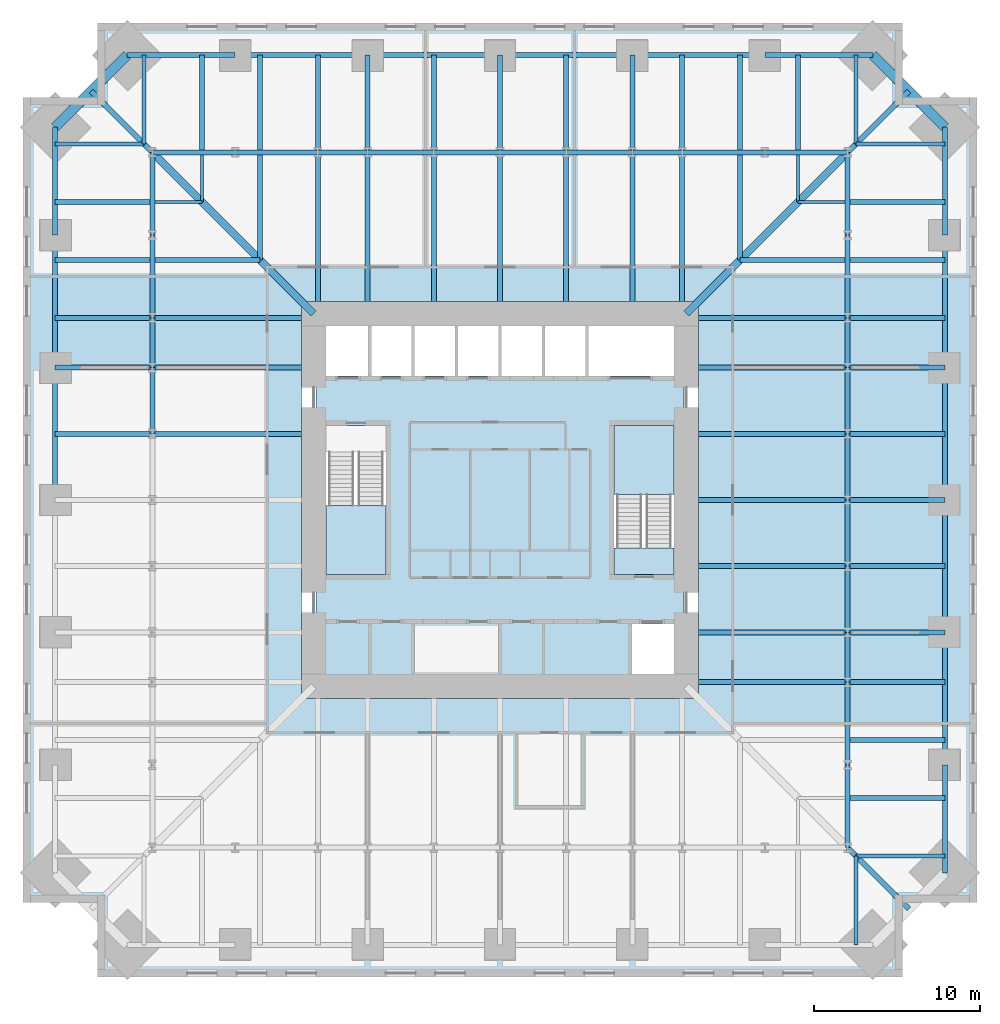
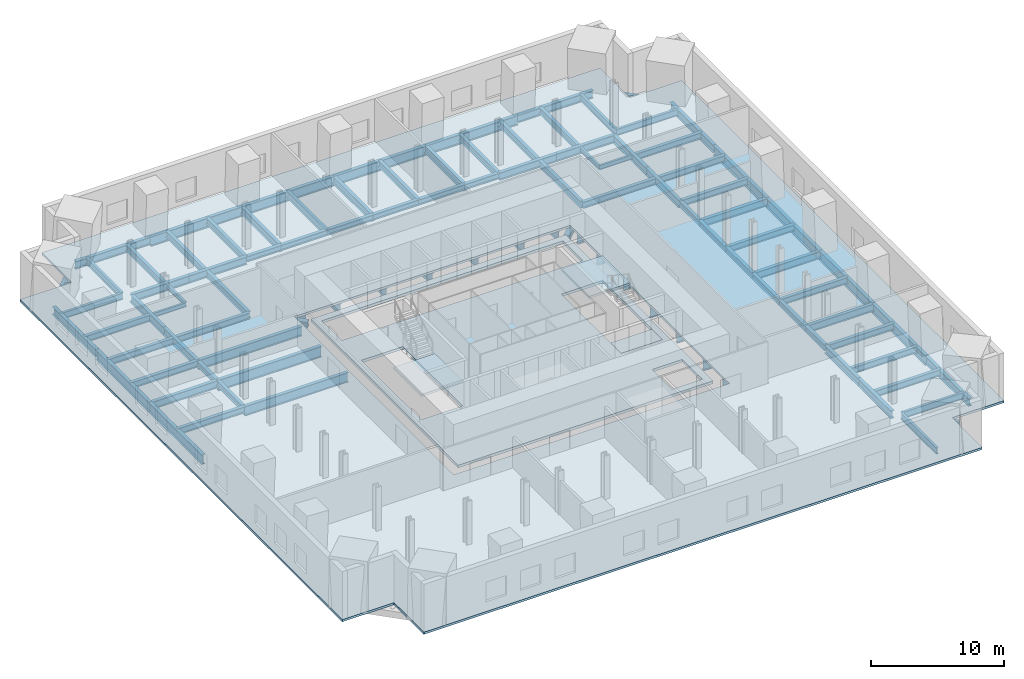
# One storey, part 2 of 9: 104 beams, 5 slabs, 2 elements without a shape of their own.
"""IFC4 building model written with IfcOpenShell, lengths in metres."""

from ifc_helpers import new_model, si_unit, direction, frame, origin, origin_2d, place, context, subcontext, project, spatial, polyline, hollow_rectangle, i_section, outline, extrude, material, layer, layer_set, material_profile, profile_set, type_object, element, aggregate, save


model = new_model("IFC4")

# Units and contexts
model_context = context("Model", 3, precision=1e-05, world=origin(), true_north=direction((0.0, 1.0)))
body_context = subcontext(model_context, "Body", "Model", "MODEL_VIEW")
ifc_project = project(units=[si_unit("LENGTHUNIT", "METRE"), si_unit("AREAUNIT", "SQUARE_METRE"), si_unit("VOLUMEUNIT", "CUBIC_METRE"), si_unit("PLANEANGLEUNIT", "RADIAN"), si_unit("MASSUNIT", "GRAM", prefix="KILO")], contexts=[model_context])

# Site, building, storey
site_placement = place(None, origin())
site = spatial("IfcSite", under=ifc_project, at=site_placement, CompositionType="ELEMENT")
building_placement = place(site_placement, origin())
building = spatial("IfcBuilding", under=site, at=building_placement, Name="Peilmerk Tower", CompositionType="ELEMENT")
storey_placement = place(building_placement, frame((0.0, 0.0, 99.800048828125)))
storey = spatial("IfcBuildingStorey", under=building, at=storey_placement, Name="L19", CompositionType="ELEMENT", Elevation=99.800048828125)

# Beams
ifc_material_1 = material(Name="Steel S355", Category="steel")
ifc_material_profile_1 = material_profile(ifc_material_1, i_section(OverallWidth=0.219970703125, OverallDepth=0.60009765625, WebThickness=0.011962890625, FlangeThickness=0.01904296875, at=origin_2d()), Name="IPE 600")
ifc_profile_set_1 = profile_set([ifc_material_profile_1], Name="Steel S355")
beam_type_1 = type_object("IfcBeamType", Name="B10 IPE 600 floor beam", PredefinedType="BEAM", material=ifc_profile_set_1)
for number, where, z_axis, x_axis, name in (
    (1, (21.5, 21.5, -0.5), (0.0, 1.0, 0.0), (-1.0, 0.0, 0.0), "Floor beam L19"),
    (2, (21.5, 21.5, -0.5), (1.0, 0.0, 0.0), (0.0, 1.0, 0.0), "Floor beam L19"),
    (3, (21.5, -21.5, -0.5), (0.0, -1.0, 0.0), (1.0, 0.0, 0.0), "Floor beam L19"),
    (4, (21.5, -21.5, -0.5), (1.0, 0.0, 0.0), (0.0, 1.0, 0.0), "Floor beam L19"),
    (5, (-21.5, 21.5, -0.5), (0.0, 1.0, 0.0), (-1.0, 0.0, 0.0), "Floor beam L19"),
    (6, (-21.5, 21.5, -0.5), (-1.0, 0.0, 0.0), (0.0, -1.0, 0.0), "Floor beam L19"),
):
    element("IfcBeam", number, at=place(storey_placement, frame(where, z_axis=z_axis, x_axis=x_axis)), inside=storey, type_object=beam_type_1, Name=name, PredefinedType="BEAM", context=body_context, shape_type="SweptSolid", body=[
        extrude(i_section(OverallWidth=0.219970703125, OverallDepth=0.60009765625, WebThickness=0.011962890625, FlangeThickness=0.01904296875, at=origin_2d()), origin(), (0.0, 0.0, 1.0), 5.37255859375),
    ])
ifc_material_profile_2 = material_profile(ifc_material_1, i_section(OverallWidth=0.300048828125, OverallDepth=0.68994140625, WebThickness=0.014404296875, FlangeThickness=0.027099609375, at=origin_2d()), Name="HEA 700")
ifc_profile_set_2 = profile_set([ifc_material_profile_2], Name="Steel S355")
beam_type_2 = type_object("IfcBeamType", Name="B16 HEA 700 floor beam", PredefinedType="BEAM", material=ifc_profile_set_2)
for number, where, z_axis, x_axis, name in (
    (7, (8.0, 21.0, -0.545166015625), (0.0, 1.0, 0.0), (-1.0, 0.0, 0.0), "Floor girder L19"),
    (8, (0.0, 21.0, -0.545166015625), (0.0, 1.0, 0.0), (-1.0, 0.0, 0.0), "Floor girder L19"),
    (9, (-8.0, 21.0, -0.545166015625), (0.0, 1.0, 0.0), (-1.0, 0.0, 0.0), "Floor girder L19"),
    (10, (21.0, -8.0, -0.545166015625), (1.0, 0.0, 0.0), (0.0, 1.0, 0.0), "Floor girder L19"),
    (11, (21.0, 0.0, -0.545166015625), (1.0, 0.0, 0.0), (0.0, 1.0, 0.0), "Floor girder L19"),
    (12, (21.0, 8.0, -0.545166015625), (1.0, 0.0, 0.0), (0.0, 1.0, 0.0), "Floor girder L19"),
    (13, (-21.0, 8.0, -0.545166015625), (-1.0, 0.0, 0.0), (0.0, -1.0, 0.0), "Floor girder L19"),
):
    element("IfcBeam", number, at=place(storey_placement, frame(where, z_axis=z_axis, x_axis=x_axis)), inside=storey, type_object=beam_type_2, Name=name, PredefinedType="BEAM", context=body_context, shape_type="SweptSolid", body=[
        extrude(i_section(OverallWidth=0.300048828125, OverallDepth=0.68994140625, WebThickness=0.014404296875, FlangeThickness=0.027099609375, at=origin_2d()), origin(), (0.0, 0.0, 1.0), 5.87255859375),
    ])
ifc_material_profile_3 = material_profile(ifc_material_1, i_section(OverallWidth=0.303955078125, OverallDepth=0.716064453125, WebThickness=0.02099609375, FlangeThickness=0.0400390625, at=origin_2d()), Name="HEM 700")
ifc_profile_set_3 = profile_set([ifc_material_profile_3], Name="Steel S355")
beam_type_3 = type_object("IfcBeamType", Name="B19 HEM 700 ring girder", PredefinedType="BEAM", material=ifc_profile_set_3)
for number, where, z_axis, x_axis, name in (
    (14, (21.0, 21.0, -0.55810546875), (-1.0, 0.0, 0.0), (0.0, -1.0, 0.0), "Ring girder L19"),
    (15, (16.0, 21.0, -0.55810546875), (-1.0, 0.0, 0.0), (0.0, -1.0, 0.0), "Ring girder L19"),
    (16, (-11.0, 21.0, -0.55810546875), (-1.0, 0.0, 0.0), (0.0, -1.0, 0.0), "Ring girder L19"),
    (17, (-16.0, 21.0, -0.55810546875), (-1.0, 0.0, 0.0), (0.0, -1.0, 0.0), "Ring girder L19"),
    (18, (21.0, -21.0, -0.55810546875), (0.0, 1.0, 0.0), (-1.0, 0.0, 0.0), "Ring girder L19"),
    (19, (21.0, -16.0, -0.55810546875), (0.0, 1.0, 0.0), (-1.0, 0.0, 0.0), "Ring girder L19"),
    (20, (21.0, 11.0, -0.55810546875), (0.0, 1.0, 0.0), (-1.0, 0.0, 0.0), "Ring girder L19"),
    (21, (21.0, 16.0, -0.55810546875), (0.0, 1.0, 0.0), (-1.0, 0.0, 0.0), "Ring girder L19"),
    (22, (-21.0, 21.0, -0.55810546875), (0.0, -1.0, 0.0), (1.0, 0.0, 0.0), "Ring girder L19"),
    (23, (-21.0, 16.0, -0.55810546875), (0.0, -1.0, 0.0), (1.0, 0.0, 0.0), "Ring girder L19"),
):
    element("IfcBeam", number, at=place(storey_placement, frame(where, z_axis=z_axis, x_axis=x_axis)), inside=storey, type_object=beam_type_3, Name=name, PredefinedType="BEAM", context=body_context, shape_type="SweptSolid", body=[
        extrude(i_section(OverallWidth=0.303955078125, OverallDepth=0.716064453125, WebThickness=0.02099609375, FlangeThickness=0.0400390625, at=origin_2d()), origin(), (0.0, 0.0, 1.0), 5.0),
    ])
ifc_material_profile_4 = material_profile(ifc_material_1, i_section(OverallWidth=0.302001953125, OverallDepth=0.909912109375, WebThickness=0.02099609375, FlangeThickness=0.0400390625, at=origin_2d()), Name="HEM 900")
ifc_profile_set_4 = profile_set([ifc_material_profile_4], Name="Steel S355")
beam_type_4 = type_object("IfcBeamType", Name="B2 HEM 900 edge beam", PredefinedType="SPANDREL", material=ifc_profile_set_4)
for number, where, z_axis, x_axis, name in (
    (24, (16.0, 26.87255859375, -0.655029296875), (-1.0, 0.0, 0.0), (0.0, -1.0, 0.0), "Edge beam L19"),
    (25, (8.0, 26.87255859375, -0.655029296875), (-1.0, 0.0, 0.0), (0.0, -1.0, 0.0), "Edge beam L19"),
    (26, (0.0, 26.87255859375, -0.655029296875), (-1.0, 0.0, 0.0), (0.0, -1.0, 0.0), "Edge beam L19"),
    (27, (-8.0, 26.87255859375, -0.655029296875), (-1.0, 0.0, 0.0), (0.0, -1.0, 0.0), "Edge beam L19"),
    (28, (26.87255859375, -16.0, -0.655029296875), (0.0, 1.0, 0.0), (-1.0, 0.0, 0.0), "Edge beam L19"),
    (29, (26.87255859375, -8.0, -0.655029296875), (0.0, 1.0, 0.0), (-1.0, 0.0, 0.0), "Edge beam L19"),
    (30, (26.87255859375, 0.0, -0.655029296875), (0.0, 1.0, 0.0), (-1.0, 0.0, 0.0), "Edge beam L19"),
    (31, (26.87255859375, 8.0, -0.655029296875), (0.0, 1.0, 0.0), (-1.0, 0.0, 0.0), "Edge beam L19"),
    (32, (-26.87255859375, 16.0, -0.655029296875), (0.0, -1.0, 0.0), (1.0, 0.0, 0.0), "Edge beam L19"),
    (33, (-26.87255859375, 8.0, -0.655029296875), (0.0, -1.0, 0.0), (1.0, 0.0, 0.0), "Edge beam L19"),
):
    element("IfcBeam", number, at=place(storey_placement, frame(where, z_axis=z_axis, x_axis=x_axis)), inside=storey, type_object=beam_type_4, Name=name, PredefinedType="SPANDREL", context=body_context, shape_type="SweptSolid", body=[
        extrude(i_section(OverallWidth=0.302001953125, OverallDepth=0.909912109375, WebThickness=0.02099609375, FlangeThickness=0.0400390625, at=origin_2d()), origin(), (0.0, 0.0, 1.0), 8.0),
    ])
ifc_material_2 = material(Name="Steel S460", Category="steel")
ifc_material_profile_5 = material_profile(ifc_material_2, hollow_rectangle(XDim=0.60009765625, YDim=0.60009765625, WallThickness=0.06005859375, at=origin_2d()), Name="BOX 600x600x60")
ifc_profile_set_5 = profile_set([ifc_material_profile_5], Name="Steel S460")
beam_type_5 = type_object("IfcBeamType", Name="B20 BOX 600x600x60 notch beam", PredefinedType="SPANDREL", material=ifc_profile_set_5)
for number, where, z_axis, x_axis, name in (
    (34, (22.5224609375, 26.87255859375, -0.5), (0.707106781187, -0.707106781187, 0.0), (0.707106781187, 0.707106781187, 0.0), "Notch beam L19"),
    (35, (-26.87255859375, 22.5224609375, -0.5), (0.707106781187, 0.707106781187, 0.0), (-0.707106781187, 0.707106781187, 0.0), "Notch beam L19"),
):
    element("IfcBeam", number, at=place(storey_placement, frame(where, z_axis=z_axis, x_axis=x_axis)), inside=storey, type_object=beam_type_5, Name=name, PredefinedType="SPANDREL", context=body_context, shape_type="SweptSolid", body=[
        extrude(hollow_rectangle(XDim=0.60009765625, YDim=0.60009765625, WallThickness=0.06005859375, at=origin_2d()), origin(), (0.0, 0.0, 1.0), 6.15185546875),
    ])
ifc_material_profile_6 = material_profile(ifc_material_1, i_section(OverallWidth=0.302001953125, OverallDepth=1.008056640625, WebThickness=0.02099609375, FlangeThickness=0.0400390625, at=origin_2d()), Name="HEM 1000")
ifc_profile_set_6 = profile_set([ifc_material_profile_6], Name="Steel S355")
beam_type_6 = type_object("IfcBeamType", Name="B24 HEM 1000 floor girder", PredefinedType="BEAM", material=ifc_profile_set_6)
for number, where, z_axis, x_axis, name in (
    (36, (8.0, 12.0, -0.7041015625), (0.0, 1.0, 0.0), (-1.0, 0.0, 0.0), "Floor girder L19"),
    (37, (0.0, 12.0, -0.7041015625), (0.0, 1.0, 0.0), (-1.0, 0.0, 0.0), "Floor girder L19"),
    (38, (-8.0, 12.0, -0.7041015625), (0.0, 1.0, 0.0), (-1.0, 0.0, 0.0), "Floor girder L19"),
    (39, (12.0, -8.0, -0.7041015625), (1.0, 0.0, 0.0), (0.0, 1.0, 0.0), "Floor girder L19"),
    (40, (12.0, 0.0, -0.7041015625), (1.0, 0.0, 0.0), (0.0, 1.0, 0.0), "Floor girder L19"),
    (41, (12.0, 8.0, -0.7041015625), (1.0, 0.0, 0.0), (0.0, 1.0, 0.0), "Floor girder L19"),
    (42, (-12.0, 8.0, -0.7041015625), (-1.0, 0.0, 0.0), (0.0, -1.0, 0.0), "Floor girder L19"),
):
    element("IfcBeam", number, at=place(storey_placement, frame(where, z_axis=z_axis, x_axis=x_axis)), inside=storey, type_object=beam_type_6, Name=name, PredefinedType="BEAM", context=body_context, shape_type="SweptSolid", body=[
        extrude(i_section(OverallWidth=0.302001953125, OverallDepth=1.008056640625, WebThickness=0.02099609375, FlangeThickness=0.0400390625, at=origin_2d()), origin(), (0.0, 0.0, 1.0), 9.0),
    ])
ifc_material_profile_7 = material_profile(ifc_material_1, i_section(OverallWidth=0.300048828125, OverallDepth=0.590087890625, WebThickness=0.012939453125, FlangeThickness=0.02490234375, at=origin_2d()), Name="HEA 600")
ifc_profile_set_7 = profile_set([ifc_material_profile_7], Name="Steel S355")
beam_type_7 = type_object("IfcBeamType", Name="B27 HEA 600 floor beam", PredefinedType="BEAM", material=ifc_profile_set_7)
for number, where, z_axis, x_axis, name in (
    (43, (11.0, 21.0, -0.4951171875), (0.0, 1.0, 0.0), (-1.0, 0.0, 0.0), "Floor beam L19"),
    (44, (4.0, 21.0, -0.4951171875), (0.0, 1.0, 0.0), (-1.0, 0.0, 0.0), "Floor beam L19"),
    (45, (-4.0, 21.0, -0.4951171875), (0.0, 1.0, 0.0), (-1.0, 0.0, 0.0), "Floor beam L19"),
    (46, (-11.0, 21.0, -0.4951171875), (0.0, 1.0, 0.0), (-1.0, 0.0, 0.0), "Floor beam L19"),
    (47, (21.0, -11.0, -0.4951171875), (1.0, 0.0, 0.0), (0.0, 1.0, 0.0), "Floor beam L19"),
    (48, (21.0, -4.0, -0.4951171875), (1.0, 0.0, 0.0), (0.0, 1.0, 0.0), "Floor beam L19"),
    (49, (21.0, 4.0, -0.4951171875), (1.0, 0.0, 0.0), (0.0, 1.0, 0.0), "Floor beam L19"),
    (50, (21.0, 11.0, -0.4951171875), (1.0, 0.0, 0.0), (0.0, 1.0, 0.0), "Floor beam L19"),
    (51, (-21.0, 11.0, -0.4951171875), (-1.0, 0.0, 0.0), (0.0, -1.0, 0.0), "Floor beam L19"),
    (52, (-21.0, 4.0, -0.4951171875), (-1.0, 0.0, 0.0), (0.0, -1.0, 0.0), "Floor beam L19"),
):
    element("IfcBeam", number, at=place(storey_placement, frame(where, z_axis=z_axis, x_axis=x_axis)), inside=storey, type_object=beam_type_7, Name=name, PredefinedType="BEAM", context=body_context, shape_type="SweptSolid", body=[
        extrude(i_section(OverallWidth=0.300048828125, OverallDepth=0.590087890625, WebThickness=0.012939453125, FlangeThickness=0.02490234375, at=origin_2d()), origin(), (0.0, 0.0, 1.0), 5.87255859375),
    ])
beam_1_placement = place(storey_placement, frame((14.5, 14.5, -0.4951171875), z_axis=(0.0, 1.0, 0.0), x_axis=(-1.0, 0.0, 0.0)))
element("IfcBeam", 53, at=beam_1_placement, inside=storey, type_object=beam_type_7, Name="Floor beam L19", PredefinedType="BEAM", context=body_context, shape_type="SweptSolid", body=[
    extrude(i_section(OverallWidth=0.300048828125, OverallDepth=0.590087890625, WebThickness=0.012939453125, FlangeThickness=0.02490234375, at=origin_2d()), origin(), (0.0, 0.0, 1.0), 6.347900390625),
])
beam_2_placement = place(storey_placement, frame((14.5, 21.152099609375, -0.4951171875), z_axis=(0.0, 1.0, 0.0), x_axis=(-1.0, 0.0, 0.0)))
element("IfcBeam", 54, at=beam_2_placement, inside=storey, type_object=beam_type_7, Name="Floor beam L19", PredefinedType="BEAM", context=body_context, shape_type="SweptSolid", body=[
    extrude(i_section(OverallWidth=0.300048828125, OverallDepth=0.590087890625, WebThickness=0.012939453125, FlangeThickness=0.02490234375, at=origin_2d()), origin(), (0.0, 0.0, 1.0), 5.720458984375),
])
beam_3_placement = place(storey_placement, frame((14.5, 14.5, -0.4951171875), z_axis=(1.0, 0.0, 0.0), x_axis=(0.0, 1.0, 0.0)))
element("IfcBeam", 55, at=beam_3_placement, inside=storey, type_object=beam_type_7, Name="Floor beam L19", PredefinedType="BEAM", context=body_context, shape_type="SweptSolid", body=[
    extrude(i_section(OverallWidth=0.300048828125, OverallDepth=0.590087890625, WebThickness=0.012939453125, FlangeThickness=0.02490234375, at=origin_2d()), origin(), (0.0, 0.0, 1.0), 6.347900390625),
])
for number, where, z_axis, x_axis, name in (
    (56, (21.152099609375, 14.5, -0.4951171875), (1.0, 0.0, 0.0), (0.0, 1.0, 0.0), "Floor beam L19"),
    (57, (18.0, 21.152099609375, -0.4951171875), (0.0, 1.0, 0.0), (-1.0, 0.0, 0.0), "Floor beam L19"),
    (58, (21.152099609375, 18.0, -0.4951171875), (1.0, 0.0, 0.0), (0.0, 1.0, 0.0), "Floor beam L19"),
    (59, (21.152099609375, -14.5, -0.4951171875), (1.0, 0.0, 0.0), (0.0, 1.0, 0.0), "Floor beam L19"),
    (60, (21.152099609375, -18.0, -0.4951171875), (1.0, 0.0, 0.0), (0.0, 1.0, 0.0), "Floor beam L19"),
):
    element("IfcBeam", number, at=place(storey_placement, frame(where, z_axis=z_axis, x_axis=x_axis)), inside=storey, type_object=beam_type_7, Name=name, PredefinedType="BEAM", context=body_context, shape_type="SweptSolid", body=[
        extrude(i_section(OverallWidth=0.300048828125, OverallDepth=0.590087890625, WebThickness=0.012939453125, FlangeThickness=0.02490234375, at=origin_2d()), origin(), (0.0, 0.0, 1.0), 5.720458984375),
    ])
beam_4_placement = place(storey_placement, frame((-14.5, 14.5, -0.4951171875), z_axis=(0.0, 1.0, 0.0), x_axis=(-1.0, 0.0, 0.0)))
element("IfcBeam", 61, at=beam_4_placement, inside=storey, type_object=beam_type_7, Name="Floor beam L19", PredefinedType="BEAM", context=body_context, shape_type="SweptSolid", body=[
    extrude(i_section(OverallWidth=0.300048828125, OverallDepth=0.590087890625, WebThickness=0.012939453125, FlangeThickness=0.02490234375, at=origin_2d()), origin(), (0.0, 0.0, 1.0), 6.347900390625),
])
beam_5_placement = place(storey_placement, frame((-14.5, 21.152099609375, -0.4951171875), z_axis=(0.0, 1.0, 0.0), x_axis=(-1.0, 0.0, 0.0)))
element("IfcBeam", 62, at=beam_5_placement, inside=storey, type_object=beam_type_7, Name="Floor beam L19", PredefinedType="BEAM", context=body_context, shape_type="SweptSolid", body=[
    extrude(i_section(OverallWidth=0.300048828125, OverallDepth=0.590087890625, WebThickness=0.012939453125, FlangeThickness=0.02490234375, at=origin_2d()), origin(), (0.0, 0.0, 1.0), 5.720458984375),
])
beam_6_placement = place(storey_placement, frame((-14.5, 14.5, -0.4951171875), z_axis=(-1.0, 0.0, 0.0), x_axis=(0.0, -1.0, 0.0)))
element("IfcBeam", 63, at=beam_6_placement, inside=storey, type_object=beam_type_7, Name="Floor beam L19", PredefinedType="BEAM", context=body_context, shape_type="SweptSolid", body=[
    extrude(i_section(OverallWidth=0.300048828125, OverallDepth=0.590087890625, WebThickness=0.012939453125, FlangeThickness=0.02490234375, at=origin_2d()), origin(), (0.0, 0.0, 1.0), 6.347900390625),
])
for number, where, z_axis, x_axis, name in (
    (64, (-21.152099609375, 14.5, -0.4951171875), (-1.0, 0.0, 0.0), (0.0, -1.0, 0.0), "Floor beam L19"),
    (65, (-18.0, 21.152099609375, -0.4951171875), (0.0, 1.0, 0.0), (-1.0, 0.0, 0.0), "Floor beam L19"),
    (66, (-21.152099609375, 18.0, -0.4951171875), (-1.0, 0.0, 0.0), (0.0, -1.0, 0.0), "Floor beam L19"),
):
    element("IfcBeam", number, at=place(storey_placement, frame(where, z_axis=z_axis, x_axis=x_axis)), inside=storey, type_object=beam_type_7, Name=name, PredefinedType="BEAM", context=body_context, shape_type="SweptSolid", body=[
        extrude(i_section(OverallWidth=0.300048828125, OverallDepth=0.590087890625, WebThickness=0.012939453125, FlangeThickness=0.02490234375, at=origin_2d()), origin(), (0.0, 0.0, 1.0), 5.720458984375),
    ])
ifc_material_profile_8 = material_profile(ifc_material_1, i_section(OverallWidth=0.179931640625, OverallDepth=0.39990234375, WebThickness=0.008544921875, FlangeThickness=0.013427734375, at=origin_2d()), Name="IPE 400")
ifc_profile_set_8 = profile_set([ifc_material_profile_8], Name="Steel S355")
beam_type_8 = type_object("IfcBeamType", Name="B28 IPE 400 floor beam", PredefinedType="BEAM", material=ifc_profile_set_8)
for number, where, z_axis, x_axis, name in (
    (67, (18.0, 18.0, -0.400146484375), (0.0, 1.0, 0.0), (-1.0, 0.0, 0.0), "Floor beam L19"),
    (68, (18.0, 18.0, -0.400146484375), (1.0, 0.0, 0.0), (0.0, 1.0, 0.0), "Floor beam L19"),
    (69, (-18.0, 18.0, -0.400146484375), (0.0, 1.0, 0.0), (-1.0, 0.0, 0.0), "Floor beam L19"),
    (70, (-18.0, 18.0, -0.400146484375), (-1.0, 0.0, 0.0), (0.0, -1.0, 0.0), "Floor beam L19"),
):
    element("IfcBeam", number, at=place(storey_placement, frame(where, z_axis=z_axis, x_axis=x_axis)), inside=storey, type_object=beam_type_8, Name=name, PredefinedType="BEAM", context=body_context, shape_type="SweptSolid", body=[
        extrude(i_section(OverallWidth=0.179931640625, OverallDepth=0.39990234375, WebThickness=0.008544921875, FlangeThickness=0.013427734375, at=origin_2d()), origin(), (0.0, 0.0, 1.0), 2.847900390625),
    ])
ifc_material_profile_9 = material_profile(ifc_material_1, i_section(OverallWidth=0.300048828125, OverallDepth=0.7900390625, WebThickness=0.014892578125, FlangeThickness=0.028076171875, at=origin_2d()), Name="HEA 800")
ifc_profile_set_9 = profile_set([ifc_material_profile_9], Name="Steel S355")
beam_type_9 = type_object("IfcBeamType", Name="B3 HEA 800 floor beam", PredefinedType="BEAM", material=ifc_profile_set_9)
for number, where, z_axis, x_axis, name in (
    (71, (21.0, 21.0, -0.594970703125), (0.707106781187, 0.707106781187, 0.0), (-0.707106781187, 0.707106781187, 0.0), "Corner girder L19"),
    (72, (21.0, -21.0, -0.594970703125), (0.707106781187, -0.707106781187, 0.0), (0.707106781187, 0.707106781187, 0.0), "Corner girder L19"),
    (73, (-21.0, 21.0, -0.594970703125), (-0.707106781187, 0.707106781187, 0.0), (-0.707106781187, -0.707106781187, 0.0), "Corner girder L19"),
):
    element("IfcBeam", number, at=place(storey_placement, frame(where, z_axis=z_axis, x_axis=x_axis)), inside=storey, type_object=beam_type_9, Name=name, PredefinedType="BEAM", context=body_context, shape_type="SweptSolid", body=[
        extrude(i_section(OverallWidth=0.300048828125, OverallDepth=0.7900390625, WebThickness=0.014892578125, FlangeThickness=0.028076171875, at=origin_2d()), origin(), (0.0, 0.0, 1.0), 5.22900390625),
    ])
ifc_material_profile_10 = material_profile(ifc_material_1, i_section(OverallWidth=0.303955078125, OverallDepth=0.716064453125, WebThickness=0.02099609375, FlangeThickness=0.0400390625, at=origin_2d()), Name="HEM 700")
ifc_profile_set_10 = profile_set([ifc_material_profile_10], Name="Steel S355")
beam_type_10 = type_object("IfcBeamType", Name="B30 HEM 700 edge beam", PredefinedType="SPANDREL", material=ifc_profile_set_10)
for number, where, z_axis, x_axis, name in (
    (74, (22.5224609375, 26.87255859375, -0.55810546875), (-1.0, 0.0, 0.0), (0.0, -1.0, 0.0), "Edge beam L19"),
    (75, (-16.0, 26.87255859375, -0.55810546875), (-1.0, 0.0, 0.0), (0.0, -1.0, 0.0), "Edge beam L19"),
    (76, (26.87255859375, -22.5224609375, -0.55810546875), (0.0, 1.0, 0.0), (-1.0, 0.0, 0.0), "Edge beam L19"),
    (77, (26.87255859375, 16.0, -0.55810546875), (0.0, 1.0, 0.0), (-1.0, 0.0, 0.0), "Edge beam L19"),
    (78, (-26.87255859375, 22.5224609375, -0.55810546875), (0.0, -1.0, 0.0), (1.0, 0.0, 0.0), "Edge beam L19"),
):
    element("IfcBeam", number, at=place(storey_placement, frame(where, z_axis=z_axis, x_axis=x_axis)), inside=storey, type_object=beam_type_10, Name=name, PredefinedType="SPANDREL", context=body_context, shape_type="SweptSolid", body=[
        extrude(i_section(OverallWidth=0.303955078125, OverallDepth=0.716064453125, WebThickness=0.02099609375, FlangeThickness=0.0400390625, at=origin_2d()), origin(), (0.0, 0.0, 1.0), 6.5224609375),
    ])
ifc_material_profile_11 = material_profile(ifc_material_1, i_section(OverallWidth=0.300048828125, OverallDepth=0.889892578125, WebThickness=0.01611328125, FlangeThickness=0.030029296875, at=origin_2d()), Name="HEA 900")
ifc_profile_set_11 = profile_set([ifc_material_profile_11], Name="Steel S355")
beam_type_11 = type_object("IfcBeamType", Name="B4 HEA 900 floor beam", PredefinedType="BEAM", material=ifc_profile_set_11)
for number, where, z_axis, x_axis, name in (
    (79, (11.0, 12.0, -0.64501953125), (0.0, 1.0, 0.0), (-1.0, 0.0, 0.0), "Floor beam L19"),
    (80, (4.0, 12.0, -0.64501953125), (0.0, 1.0, 0.0), (-1.0, 0.0, 0.0), "Floor beam L19"),
    (81, (-4.0, 12.0, -0.64501953125), (0.0, 1.0, 0.0), (-1.0, 0.0, 0.0), "Floor beam L19"),
    (82, (-11.0, 12.0, -0.64501953125), (0.0, 1.0, 0.0), (-1.0, 0.0, 0.0), "Floor beam L19"),
    (83, (12.0, -11.0, -0.64501953125), (1.0, 0.0, 0.0), (0.0, 1.0, 0.0), "Floor beam L19"),
    (84, (12.0, -4.0, -0.64501953125), (1.0, 0.0, 0.0), (0.0, 1.0, 0.0), "Floor beam L19"),
    (85, (12.0, 4.0, -0.64501953125), (1.0, 0.0, 0.0), (0.0, 1.0, 0.0), "Floor beam L19"),
    (86, (12.0, 11.0, -0.64501953125), (1.0, 0.0, 0.0), (0.0, 1.0, 0.0), "Floor beam L19"),
    (87, (-12.0, 11.0, -0.64501953125), (-1.0, 0.0, 0.0), (0.0, -1.0, 0.0), "Floor beam L19"),
    (88, (-12.0, 4.0, -0.64501953125), (-1.0, 0.0, 0.0), (0.0, -1.0, 0.0), "Floor beam L19"),
):
    element("IfcBeam", number, at=place(storey_placement, frame(where, z_axis=z_axis, x_axis=x_axis)), inside=storey, type_object=beam_type_11, Name=name, PredefinedType="BEAM", context=body_context, shape_type="SweptSolid", body=[
        extrude(i_section(OverallWidth=0.300048828125, OverallDepth=0.889892578125, WebThickness=0.01611328125, FlangeThickness=0.030029296875, at=origin_2d()), origin(), (0.0, 0.0, 1.0), 9.0),
    ])
ifc_material_profile_12 = material_profile(ifc_material_1, i_section(OverallWidth=0.305908203125, OverallDepth=0.52392578125, WebThickness=0.02099609375, FlangeThickness=0.0400390625, at=origin_2d()), Name="HEM 500")
ifc_profile_set_12 = profile_set([ifc_material_profile_12], Name="Steel S355")
beam_type_12 = type_object("IfcBeamType", Name="B7 HEM 500 ring girder", PredefinedType="BEAM", material=ifc_profile_set_12)
beam_7_placement = place(storey_placement, frame((11.0, 21.0, -0.462158203125), z_axis=(-1.0, 0.0, 0.0), x_axis=(0.0, -1.0, 0.0)))
element("IfcBeam", 89, at=beam_7_placement, inside=storey, type_object=beam_type_12, Name="Ring girder L19", PredefinedType="BEAM", context=body_context, shape_type="SweptSolid", body=[
    extrude(i_section(OverallWidth=0.305908203125, OverallDepth=0.52392578125, WebThickness=0.02099609375, FlangeThickness=0.0400390625, at=origin_2d()), origin(), (0.0, 0.0, 1.0), 3.0),
])
for number, where, z_axis, x_axis, name in (
    (90, (8.0, 21.0, -0.462158203125), (-1.0, 0.0, 0.0), (0.0, -1.0, 0.0), "Ring girder L19"),
    (91, (4.0, 21.0, -0.462158203125), (-1.0, 0.0, 0.0), (0.0, -1.0, 0.0), "Ring girder L19"),
    (92, (0.0, 21.0, -0.462158203125), (-1.0, 0.0, 0.0), (0.0, -1.0, 0.0), "Ring girder L19"),
    (93, (-4.0, 21.0, -0.462158203125), (-1.0, 0.0, 0.0), (0.0, -1.0, 0.0), "Ring girder L19"),
):
    element("IfcBeam", number, at=place(storey_placement, frame(where, z_axis=z_axis, x_axis=x_axis)), inside=storey, type_object=beam_type_12, Name=name, PredefinedType="BEAM", context=body_context, shape_type="SweptSolid", body=[
        extrude(i_section(OverallWidth=0.305908203125, OverallDepth=0.52392578125, WebThickness=0.02099609375, FlangeThickness=0.0400390625, at=origin_2d()), origin(), (0.0, 0.0, 1.0), 4.0),
    ])
for number, where, z_axis, x_axis, name in (
    (94, (-8.0, 21.0, -0.462158203125), (-1.0, 0.0, 0.0), (0.0, -1.0, 0.0), "Ring girder L19"),
    (95, (21.0, -11.0, -0.462158203125), (0.0, 1.0, 0.0), (-1.0, 0.0, 0.0), "Ring girder L19"),
):
    element("IfcBeam", number, at=place(storey_placement, frame(where, z_axis=z_axis, x_axis=x_axis)), inside=storey, type_object=beam_type_12, Name=name, PredefinedType="BEAM", context=body_context, shape_type="SweptSolid", body=[
        extrude(i_section(OverallWidth=0.305908203125, OverallDepth=0.52392578125, WebThickness=0.02099609375, FlangeThickness=0.0400390625, at=origin_2d()), origin(), (0.0, 0.0, 1.0), 3.0),
    ])
for number, where, z_axis, x_axis, name in (
    (96, (21.0, -8.0, -0.462158203125), (0.0, 1.0, 0.0), (-1.0, 0.0, 0.0), "Ring girder L19"),
    (97, (21.0, -4.0, -0.462158203125), (0.0, 1.0, 0.0), (-1.0, 0.0, 0.0), "Ring girder L19"),
    (98, (21.0, 0.0, -0.462158203125), (0.0, 1.0, 0.0), (-1.0, 0.0, 0.0), "Ring girder L19"),
    (99, (21.0, 4.0, -0.462158203125), (0.0, 1.0, 0.0), (-1.0, 0.0, 0.0), "Ring girder L19"),
):
    element("IfcBeam", number, at=place(storey_placement, frame(where, z_axis=z_axis, x_axis=x_axis)), inside=storey, type_object=beam_type_12, Name=name, PredefinedType="BEAM", context=body_context, shape_type="SweptSolid", body=[
        extrude(i_section(OverallWidth=0.305908203125, OverallDepth=0.52392578125, WebThickness=0.02099609375, FlangeThickness=0.0400390625, at=origin_2d()), origin(), (0.0, 0.0, 1.0), 4.0),
    ])
for number, where, z_axis, x_axis, name in (
    (100, (21.0, 8.0, -0.462158203125), (0.0, 1.0, 0.0), (-1.0, 0.0, 0.0), "Ring girder L19"),
    (101, (-21.0, 11.0, -0.462158203125), (0.0, -1.0, 0.0), (1.0, 0.0, 0.0), "Ring girder L19"),
):
    element("IfcBeam", number, at=place(storey_placement, frame(where, z_axis=z_axis, x_axis=x_axis)), inside=storey, type_object=beam_type_12, Name=name, PredefinedType="BEAM", context=body_context, shape_type="SweptSolid", body=[
        extrude(i_section(OverallWidth=0.305908203125, OverallDepth=0.52392578125, WebThickness=0.02099609375, FlangeThickness=0.0400390625, at=origin_2d()), origin(), (0.0, 0.0, 1.0), 3.0),
    ])
beam_8_placement = place(storey_placement, frame((-21.0, 8.0, -0.462158203125), z_axis=(0.0, -1.0, 0.0), x_axis=(1.0, 0.0, 0.0)))
element("IfcBeam", 102, at=beam_8_placement, inside=storey, type_object=beam_type_12, Name="Ring girder L19", PredefinedType="BEAM", context=body_context, shape_type="SweptSolid", body=[
    extrude(i_section(OverallWidth=0.305908203125, OverallDepth=0.52392578125, WebThickness=0.02099609375, FlangeThickness=0.0400390625, at=origin_2d()), origin(), (0.0, 0.0, 1.0), 4.0),
])
ifc_material_profile_13 = material_profile(ifc_material_2, i_section(OverallWidth=0.4541015625, OverallDepth=0.569091796875, WebThickness=0.077880859375, FlangeThickness=0.125, at=origin_2d()), Name="HD 400x1086")
ifc_profile_set_13 = profile_set([ifc_material_profile_13], Name="Steel S460")
beam_type_13 = type_object("IfcBeamType", Name="B9 HD 400x1086 corner girder", PredefinedType="BEAM", material=ifc_profile_set_13)
for number, where, z_axis, x_axis, name in (
    (103, (11.25, 11.25, -0.484619140625), (0.707106781187, 0.707106781187, 0.0), (-0.707106781187, 0.707106781187, 0.0), "Corner girder L19"),
    (104, (-11.25, 11.25, -0.484619140625), (-0.707106781187, 0.707106781187, 0.0), (-0.707106781187, -0.707106781187, 0.0), "Corner girder L19"),
):
    element("IfcBeam", number, at=place(storey_placement, frame(where, z_axis=z_axis, x_axis=x_axis)), inside=storey, type_object=beam_type_13, Name=name, PredefinedType="BEAM", context=body_context, shape_type="SweptSolid", body=[
        extrude(i_section(OverallWidth=0.4541015625, OverallDepth=0.569091796875, WebThickness=0.077880859375, FlangeThickness=0.125, at=origin_2d()), origin(), (0.0, 0.0, 1.0), 13.78857421875),
    ])

# Slabs
ifc_material_3 = material(Name="Concrete C55/67", Category="concrete")
ifc_layer_1 = layer(ifc_material_3, 0.25)
ifc_layer_set_1 = layer_set([ifc_layer_1], Name="Concrete C55/67")
slab_type_1 = type_object("IfcSlabType", Name="CS250 250 core floor slab", PredefinedType="FLOOR", material=ifc_layer_set_1)
slab_1_placement = place(storey_placement, frame((0.0, 0.0, -0.25)))
element("IfcSlab", 105, at=slab_1_placement, inside=storey, type_object=slab_type_1, Name="Core slab L19", PredefinedType="FLOOR", context=body_context, shape_type="SweptSolid", body=[
    extrude(outline(polyline([(-11.10009765625, 11.10009765625), (-11.10009765625, -11.10009765625), (11.10009765625, -11.10009765625), (11.10009765625, 11.10009765625), (-11.10009765625, 11.10009765625)]), holes=[polyline([(10.5, 7.5), (-10.5, 7.5), (-10.5, 10.5), (10.5, 10.5), (10.5, 7.5)]), polyline([(7.875, -10.5), (7.875, -7.5), (10.5, -7.5), (10.5, -10.5), (7.875, -10.5)]), polyline([(-10.5, 4.5), (-6.89990234375, 4.5), (-6.89990234375, -4.5), (-10.5, -4.5), (-10.5, 4.5)]), polyline([(10.5, 4.5), (10.5, -4.5), (6.89990234375, -4.5), (6.89990234375, 4.5), (10.5, 4.5)])]), origin(), (0.0, 0.0, 1.0), 0.25),
])
ifc_material_4 = material(Name="Concrete C35/45", Category="concrete")
ifc_layer_2 = layer(ifc_material_4, 0.199951171875)
ifc_layer_set_2 = layer_set([ifc_layer_2], Name="Concrete C35/45")
slab_type_2 = type_object("IfcSlabType", Name="FS200 200 composite floor slab", PredefinedType="FLOOR", material=ifc_layer_set_2)
slab_2_placement = place(storey_placement, frame((0.0, 0.0, -0.199951171875)))
element("IfcSlab", 106, at=slab_2_placement, inside=storey, type_object=slab_type_2, Name="Floor slab L19", PredefinedType="FLOOR", context=body_context, shape_type="SweptSolid", body=[
    extrude(outline(polyline([(-24.300048828125, -28.800048828125), (24.300048828125, -28.800048828125), (24.300048828125, -24.300048828125), (28.800048828125, -24.300048828125), (28.800048828125, 24.300048828125), (24.300048828125, 24.300048828125), (24.300048828125, 28.800048828125), (-24.300048828125, 28.800048828125), (-24.300048828125, 24.300048828125), (-28.800048828125, 24.300048828125), (-28.800048828125, -24.300048828125), (-24.300048828125, -24.300048828125), (-24.300048828125, -28.800048828125)]), holes=[polyline([(12.0, 12.0), (12.0, -12.0), (-12.0, -12.0), (-12.0, 12.0), (12.0, 12.0)])]), origin(), (0.0, 0.0, 1.0), 0.199951171875),
])

# Stair, slab
ifc_material_5 = material(Name="Precast concrete C45/55", Category="concrete")
stair_type_1 = type_object("IfcStairType", Name="ST1 26 risers of 176.9", PredefinedType="HALF_TURN_STAIR", material=ifc_material_5)
stair_1_placement = place(storey_placement, origin())
stair_1 = element("IfcStair", 107, at=stair_1_placement, inside=storey, type_object=stair_type_1, Name="Stair 1 L19 to L20", PredefinedType="HALF_TURN_STAIR")
ifc_layer_3 = layer(ifc_material_4, 0.199951171875)
ifc_layer_set_3 = layer_set([ifc_layer_3], Name="Concrete C35/45")
slab_type_3 = type_object("IfcSlabType", Name="SL1 200 concrete stair landing", PredefinedType="LANDING", material=ifc_layer_set_3)
slab_3_placement = place(storey_placement, frame((0.0, 0.0, 2.099853515625)))
slab_3 = element("IfcSlab", 108, at=slab_3_placement, type_object=slab_type_3, Name="ST1 landing 1", PredefinedType="LANDING", context=body_context, shape_type="SweptSolid", body=[
    extrude(outline(polyline([(-10.5, -4.5), (-6.89990234375, -4.5), (-6.89990234375, -0.340087890625), (-10.5, -0.340087890625), (-10.5, -4.5)])), origin(), (0.0, 0.0, 1.0), 0.2001953125),
])
aggregate(stair_1, [slab_3])

# Stair, slabs
stair_type_2 = type_object("IfcStairType", Name="ST2 26 risers of 176.9", PredefinedType="HALF_TURN_STAIR", material=ifc_material_5)
stair_2_placement = place(storey_placement, origin())
stair_2 = element("IfcStair", 109, at=stair_2_placement, inside=storey, type_object=stair_type_2, Name="Stair 2 L19 to L20", PredefinedType="HALF_TURN_STAIR")
slab_4_placement = place(storey_placement, frame((0.0, 0.0, 2.099853515625)))
slab_4 = element("IfcSlab", 110, at=slab_4_placement, type_object=slab_type_3, Name="ST2 landing 1", PredefinedType="LANDING", context=body_context, shape_type="SweptSolid", body=[
    extrude(outline(polyline([(6.89990234375, 0.340087890625), (10.5, 0.340087890625), (10.5, 4.5), (6.89990234375, 4.5), (6.89990234375, 0.340087890625)])), origin(), (0.0, 0.0, 1.0), 0.2001953125),
])
ifc_layer_4 = layer(ifc_material_4, 0.25)
ifc_layer_set_4 = layer_set([ifc_layer_4], Name="Concrete C35/45")
slab_type_4 = type_object("IfcSlabType", Name="SL2 250 concrete floor landing", PredefinedType="LANDING", material=ifc_layer_set_4)
slab_5_placement = place(storey_placement, frame((0.0, 0.0, -0.25)))
slab_5 = element("IfcSlab", 111, at=slab_5_placement, type_object=slab_type_4, Name="ST2 floor landing", PredefinedType="LANDING", context=body_context, shape_type="SweptSolid", body=[
    extrude(outline(polyline([(6.89990234375, -4.5), (10.5, -4.5), (10.5, -2.89990234375), (6.89990234375, -2.89990234375), (6.89990234375, -4.5)])), origin(), (0.0, 0.0, 1.0), 0.25),
])
aggregate(stair_2, [slab_4, slab_5])

save(model, "model.ifc")
